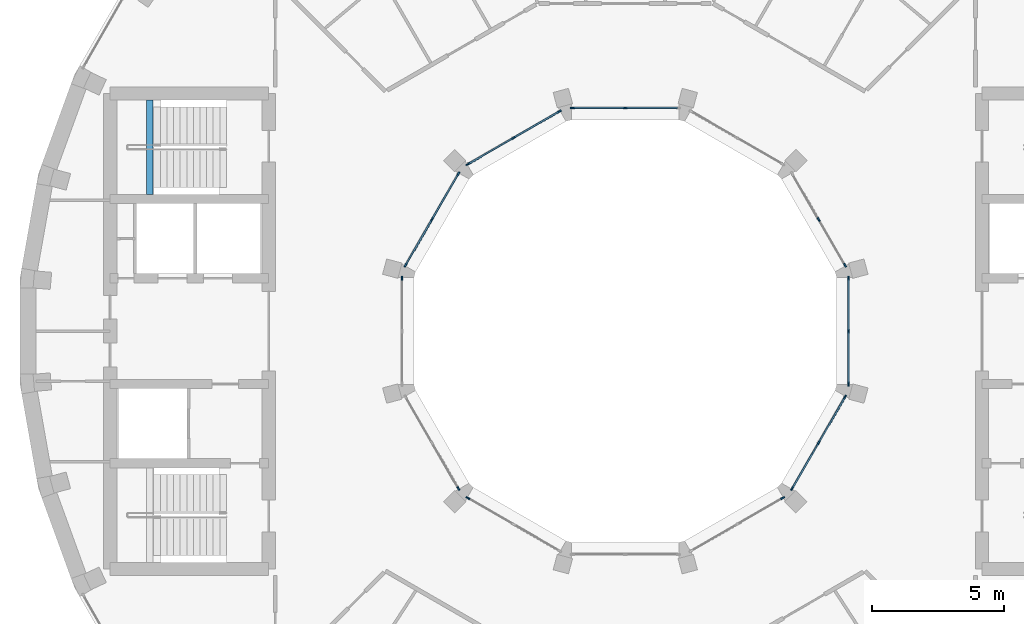
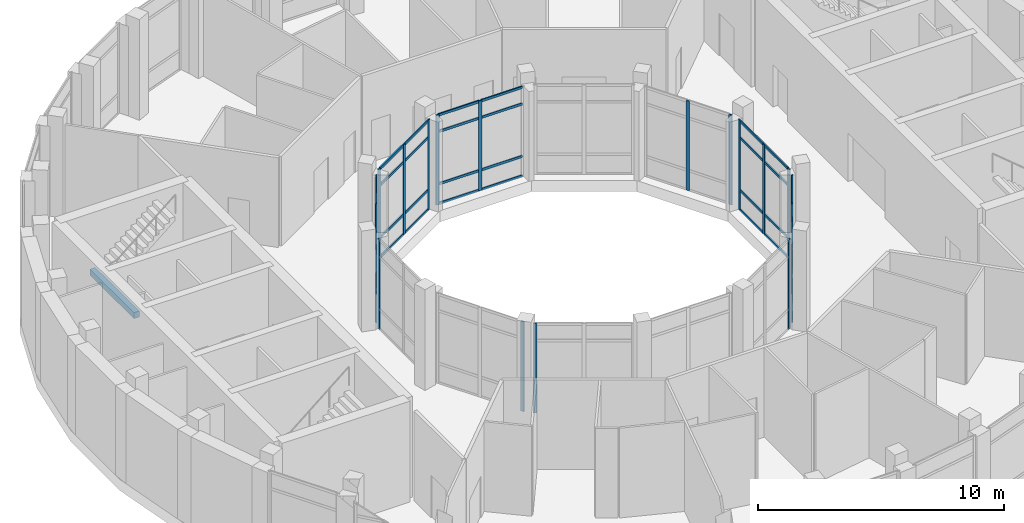
# One storey, part 4 of 16: 60 members, 1 beam, 10 elements without a shape of their own.
"""IFC4 building model written with IfcOpenShell, lengths in metres."""

from ifc_helpers import new_model, si_unit, direction, frame, origin, origin_2d, place, context, subcontext, project, spatial, rectangle, extrude, material, layer, layer_set, material_profile, profile_set, type_object, element, aggregate, save


model = new_model("IFC4")

# Units and contexts
model_context = context("Model", 3, precision=1e-05, world=origin(), true_north=direction((0.0, 1.0)))
body_context = subcontext(model_context, "Body", "Model", "MODEL_VIEW")
ifc_project = project(units=[si_unit("LENGTHUNIT", "METRE"), si_unit("AREAUNIT", "SQUARE_METRE"), si_unit("VOLUMEUNIT", "CUBIC_METRE"), si_unit("PLANEANGLEUNIT", "RADIAN"), si_unit("MASSUNIT", "GRAM", prefix="KILO")], contexts=[model_context])

# Site, building, storey
site_placement = place(None, origin())
site = spatial("IfcSite", under=ifc_project, at=site_placement, CompositionType="ELEMENT")
building_placement = place(site_placement, origin())
building = spatial("IfcBuilding", under=site, at=building_placement, Name="Saqina Gate Tower", CompositionType="ELEMENT")
storey_placement = place(building_placement, frame((0.0, 0.0, 279.199951171875)))
storey = spatial("IfcBuildingStorey", under=building, at=storey_placement, Name="L80", CompositionType="ELEMENT", Elevation=279.199951171875)

# Curtain wall, members
ifc_material_1 = material(Name="Aluminium glazing", Category="aluminium")
ifc_layer = layer(ifc_material_1, 0.159912109375)
ifc_layer_set = layer_set([ifc_layer], Name="CWT-3")
curtain_wall_type = type_object("IfcCurtainWallType", Name="CWT-3", PredefinedType="NOTDEFINED", material=ifc_layer_set)
curtain_wall_1_placement = place(storey_placement, origin())
curtain_wall_1 = element("IfcCurtainWall", 1, at=curtain_wall_1_placement, inside=storey, type_object=curtain_wall_type, Name="Sky lounge well glazing L80 facet 1", PredefinedType="NOTDEFINED")
ifc_material_2 = material(Name="Aluminium", Category="aluminium")
ifc_material_profile_1 = material_profile(ifc_material_2, rectangle(XDim=0.06005859375, YDim=0.159912109375, at=origin_2d()), Name="Aluminium 60x160")
ifc_profile_set_1 = profile_set([ifc_material_profile_1], Name="Aluminium")
member_type_1 = type_object("IfcMemberType", Name="CWT-3M", PredefinedType="MULLION", material=ifc_profile_set_1)
member_1_placement = place(storey_placement, frame((8.317626953125, 2.493408203125, 0.0), z_axis=(0.0, 0.0, 1.0), x_axis=(-0.866023931115, -0.500002550729, 0.0)))
member_1 = element("IfcMember", 2, at=member_1_placement, type_object=member_type_1, Name="CW3-01 mullion 1", PredefinedType="MULLION", context=body_context, shape_type="SweptSolid", body=[
    extrude(rectangle(XDim=0.06005859375, YDim=0.159912109375, at=origin_2d()), origin(), (0.0, 0.0, 1.0), 4.449951171875),
])
member_2_placement = place(storey_placement, frame((7.31787109375, 4.22509765625, 0.0), z_axis=(0.0, 0.0, 1.0), x_axis=(-0.866023931115, -0.500002550729, 0.0)))
member_2 = element("IfcMember", 3, at=member_2_placement, type_object=member_type_1, Name="CW3-01 mullion 2", PredefinedType="MULLION", context=body_context, shape_type="SweptSolid", body=[
    extrude(rectangle(XDim=0.06005859375, YDim=0.159912109375, at=origin_2d()), origin(), (0.0, 0.0, 1.0), 4.449951171875),
])
aggregate(curtain_wall_1, [member_1, member_2])

curtain_wall_2_placement = place(storey_placement, origin())
curtain_wall_2 = element("IfcCurtainWall", 4, at=curtain_wall_2_placement, inside=storey, type_object=curtain_wall_type, Name="Sky lounge well glazing L80 facet 3", PredefinedType="NOTDEFINED")
member_3_placement = place(storey_placement, frame((0.0, 8.449951171875, 0.0), z_axis=(0.0, 0.0, 1.0), x_axis=(0.0, -1.0, 0.0)))
member_3 = element("IfcMember", 5, at=member_3_placement, type_object=member_type_1, Name="CW3-03 mullion 2", PredefinedType="MULLION", context=body_context, shape_type="SweptSolid", body=[
    extrude(rectangle(XDim=0.06005859375, YDim=0.159912109375, at=origin_2d()), origin(), (0.0, 0.0, 1.0), 4.449951171875),
])
member_4_placement = place(storey_placement, frame((-1.99951171875, 8.449951171875, 0.0), z_axis=(0.0, 0.0, 1.0), x_axis=(0.0, -1.0, 0.0)))
member_4 = element("IfcMember", 6, at=member_4_placement, type_object=member_type_1, Name="CW3-03 mullion 3", PredefinedType="MULLION", context=body_context, shape_type="SweptSolid", body=[
    extrude(rectangle(XDim=0.06005859375, YDim=0.159912109375, at=origin_2d()), origin(), (0.0, 0.0, 1.0), 4.449951171875),
])

curtain_wall_3_placement = place(storey_placement, origin())
curtain_wall_3 = element("IfcCurtainWall", 7, at=curtain_wall_3_placement, inside=storey, type_object=curtain_wall_type, Name="Sky lounge well glazing L80 facet 4", PredefinedType="NOTDEFINED")
member_5_placement = place(storey_placement, frame((-2.493408203125, 8.317626953125, 0.0), z_axis=(0.0, 0.0, 1.0), x_axis=(0.500002550729, -0.866023931115, 0.0)))
member_5 = element("IfcMember", 8, at=member_5_placement, type_object=member_type_1, Name="CW3-04 mullion 1", PredefinedType="MULLION", context=body_context, shape_type="SweptSolid", body=[
    extrude(rectangle(XDim=0.06005859375, YDim=0.159912109375, at=origin_2d()), origin(), (0.0, 0.0, 1.0), 4.449951171875),
])
member_6_placement = place(storey_placement, frame((-4.22509765625, 7.31787109375, 0.0), z_axis=(0.0, 0.0, 1.0), x_axis=(0.500002550729, -0.866023931115, 0.0)))
member_6 = element("IfcMember", 9, at=member_6_placement, type_object=member_type_1, Name="CW3-04 mullion 2", PredefinedType="MULLION", context=body_context, shape_type="SweptSolid", body=[
    extrude(rectangle(XDim=0.06005859375, YDim=0.159912109375, at=origin_2d()), origin(), (0.0, 0.0, 1.0), 4.449951171875),
])
member_7_placement = place(storey_placement, frame((-5.95654296875, 6.318115234375, 0.0), z_axis=(0.0, 0.0, 1.0), x_axis=(0.500002550729, -0.866023931115, 0.0)))
member_7 = element("IfcMember", 10, at=member_7_placement, type_object=member_type_1, Name="CW3-04 mullion 3", PredefinedType="MULLION", context=body_context, shape_type="SweptSolid", body=[
    extrude(rectangle(XDim=0.06005859375, YDim=0.159912109375, at=origin_2d()), origin(), (0.0, 0.0, 1.0), 4.449951171875),
])

curtain_wall_4_placement = place(storey_placement, origin())
curtain_wall_4 = element("IfcCurtainWall", 11, at=curtain_wall_4_placement, inside=storey, type_object=curtain_wall_type, Name="Sky lounge well glazing L80 facet 5", PredefinedType="NOTDEFINED")
member_8_placement = place(storey_placement, frame((-6.318115234375, 5.95654296875, 0.0), z_axis=(0.0, 0.0, 1.0), x_axis=(0.866023931115, -0.500002550729, 0.0)))
member_8 = element("IfcMember", 12, at=member_8_placement, type_object=member_type_1, Name="CW3-05 mullion 1", PredefinedType="MULLION", context=body_context, shape_type="SweptSolid", body=[
    extrude(rectangle(XDim=0.06005859375, YDim=0.159912109375, at=origin_2d()), origin(), (0.0, 0.0, 1.0), 4.449951171875),
])
member_9_placement = place(storey_placement, frame((-7.31787109375, 4.22509765625, 0.0), z_axis=(0.0, 0.0, 1.0), x_axis=(0.866023931115, -0.500002550729, 0.0)))
member_9 = element("IfcMember", 13, at=member_9_placement, type_object=member_type_1, Name="CW3-05 mullion 2", PredefinedType="MULLION", context=body_context, shape_type="SweptSolid", body=[
    extrude(rectangle(XDim=0.06005859375, YDim=0.159912109375, at=origin_2d()), origin(), (0.0, 0.0, 1.0), 4.449951171875),
])
member_10_placement = place(storey_placement, frame((-8.317626953125, 2.493408203125, 0.0), z_axis=(0.0, 0.0, 1.0), x_axis=(0.866023931115, -0.500002550729, 0.0)))
member_10 = element("IfcMember", 14, at=member_10_placement, type_object=member_type_1, Name="CW3-05 mullion 3", PredefinedType="MULLION", context=body_context, shape_type="SweptSolid", body=[
    extrude(rectangle(XDim=0.06005859375, YDim=0.159912109375, at=origin_2d()), origin(), (0.0, 0.0, 1.0), 4.449951171875),
])

# Curtain wall, member
curtain_wall_5_placement = place(storey_placement, origin())
curtain_wall_5 = element("IfcCurtainWall", 15, at=curtain_wall_5_placement, inside=storey, type_object=curtain_wall_type, Name="Sky lounge well glazing L80 facet 6", PredefinedType="NOTDEFINED")
member_11_placement = place(storey_placement, frame((-8.449951171875, 1.99951171875, 0.0), z_axis=(0.0, 0.0, 1.0), x_axis=(1.0, 0.0, 0.0)))
member_11 = element("IfcMember", 16, at=member_11_placement, type_object=member_type_1, Name="CW3-06 mullion 1", PredefinedType="MULLION", context=body_context, shape_type="SweptSolid", body=[
    extrude(rectangle(XDim=0.06005859375, YDim=0.159912109375, at=origin_2d()), origin(), (0.0, 0.0, 1.0), 4.449951171875),
])
aggregate(curtain_wall_5, [member_11])

curtain_wall_6_placement = place(storey_placement, origin())
curtain_wall_6 = element("IfcCurtainWall", 17, at=curtain_wall_6_placement, inside=storey, type_object=curtain_wall_type, Name="Sky lounge well glazing L80 facet 7", PredefinedType="NOTDEFINED")
member_12_placement = place(storey_placement, frame((-6.318115234375, -5.95654296875, 0.0), z_axis=(0.0, 0.0, 1.0), x_axis=(0.866023931115, 0.500002550729, 0.0)))
member_12 = element("IfcMember", 18, at=member_12_placement, type_object=member_type_1, Name="CW3-07 mullion 3", PredefinedType="MULLION", context=body_context, shape_type="SweptSolid", body=[
    extrude(rectangle(XDim=0.06005859375, YDim=0.159912109375, at=origin_2d()), origin(), (0.0, 0.0, 1.0), 4.449951171875),
])
aggregate(curtain_wall_6, [member_12])

curtain_wall_7_placement = place(storey_placement, origin())
curtain_wall_7 = element("IfcCurtainWall", 19, at=curtain_wall_7_placement, inside=storey, type_object=curtain_wall_type, Name="Sky lounge well glazing L80 facet 8", PredefinedType="NOTDEFINED")
member_13_placement = place(storey_placement, frame((-5.95654296875, -6.318115234375, 0.0), z_axis=(0.0, 0.0, 1.0), x_axis=(0.500002550729, 0.866023931115, 0.0)))
member_13 = element("IfcMember", 20, at=member_13_placement, type_object=member_type_1, Name="CW3-08 mullion 1", PredefinedType="MULLION", context=body_context, shape_type="SweptSolid", body=[
    extrude(rectangle(XDim=0.06005859375, YDim=0.159912109375, at=origin_2d()), origin(), (0.0, 0.0, 1.0), 4.449951171875),
])
aggregate(curtain_wall_7, [member_13])

curtain_wall_8_placement = place(storey_placement, origin())
curtain_wall_8 = element("IfcCurtainWall", 21, at=curtain_wall_8_placement, inside=storey, type_object=curtain_wall_type, Name="Sky lounge well glazing L80 facet 10", PredefinedType="NOTDEFINED")
member_14_placement = place(storey_placement, frame((5.95654296875, -6.318115234375, 0.0), z_axis=(0.0, 0.0, 1.0), x_axis=(-0.500002550729, 0.866023931115, 0.0)))
member_14 = element("IfcMember", 22, at=member_14_placement, type_object=member_type_1, Name="CW3-10 mullion 3", PredefinedType="MULLION", context=body_context, shape_type="SweptSolid", body=[
    extrude(rectangle(XDim=0.06005859375, YDim=0.159912109375, at=origin_2d()), origin(), (0.0, 0.0, 1.0), 4.449951171875),
])
aggregate(curtain_wall_8, [member_14])

# Curtain wall, members
curtain_wall_9_placement = place(storey_placement, origin())
curtain_wall_9 = element("IfcCurtainWall", 23, at=curtain_wall_9_placement, inside=storey, type_object=curtain_wall_type, Name="Sky lounge well glazing L80 facet 11", PredefinedType="NOTDEFINED")
member_15_placement = place(storey_placement, frame((6.318115234375, -5.95654296875, 0.0), z_axis=(0.0, 0.0, 1.0), x_axis=(-0.866023931115, 0.500002550729, 0.0)))
member_15 = element("IfcMember", 24, at=member_15_placement, type_object=member_type_1, Name="CW3-11 mullion 1", PredefinedType="MULLION", context=body_context, shape_type="SweptSolid", body=[
    extrude(rectangle(XDim=0.06005859375, YDim=0.159912109375, at=origin_2d()), origin(), (0.0, 0.0, 1.0), 4.449951171875),
])
member_16_placement = place(storey_placement, frame((7.31787109375, -4.22509765625, 0.0), z_axis=(0.0, 0.0, 1.0), x_axis=(-0.866023931115, 0.500002550729, 0.0)))
member_16 = element("IfcMember", 25, at=member_16_placement, type_object=member_type_1, Name="CW3-11 mullion 2", PredefinedType="MULLION", context=body_context, shape_type="SweptSolid", body=[
    extrude(rectangle(XDim=0.06005859375, YDim=0.159912109375, at=origin_2d()), origin(), (0.0, 0.0, 1.0), 4.449951171875),
])
member_17_placement = place(storey_placement, frame((8.317626953125, -2.493408203125, 0.0), z_axis=(0.0, 0.0, 1.0), x_axis=(-0.866023931115, 0.500002550729, 0.0)))
member_17 = element("IfcMember", 26, at=member_17_placement, type_object=member_type_1, Name="CW3-11 mullion 3", PredefinedType="MULLION", context=body_context, shape_type="SweptSolid", body=[
    extrude(rectangle(XDim=0.06005859375, YDim=0.159912109375, at=origin_2d()), origin(), (0.0, 0.0, 1.0), 4.449951171875),
])

curtain_wall_10_placement = place(storey_placement, origin())
curtain_wall_10 = element("IfcCurtainWall", 27, at=curtain_wall_10_placement, inside=storey, type_object=curtain_wall_type, Name="Sky lounge well glazing L80 facet 12", PredefinedType="NOTDEFINED")
member_18_placement = place(storey_placement, frame((8.449951171875, -1.99951171875, 0.0), z_axis=(0.0, 0.0, 1.0), x_axis=(-1.0, 0.0, 0.0)))
member_18 = element("IfcMember", 28, at=member_18_placement, type_object=member_type_1, Name="CW3-12 mullion 1", PredefinedType="MULLION", context=body_context, shape_type="SweptSolid", body=[
    extrude(rectangle(XDim=0.06005859375, YDim=0.159912109375, at=origin_2d()), origin(), (0.0, 0.0, 1.0), 4.449951171875),
])
member_19_placement = place(storey_placement, frame((8.449951171875, 0.0, 0.0), z_axis=(0.0, 0.0, 1.0), x_axis=(-1.0, 0.0, 0.0)))
member_19 = element("IfcMember", 29, at=member_19_placement, type_object=member_type_1, Name="CW3-12 mullion 2", PredefinedType="MULLION", context=body_context, shape_type="SweptSolid", body=[
    extrude(rectangle(XDim=0.06005859375, YDim=0.159912109375, at=origin_2d()), origin(), (0.0, 0.0, 1.0), 4.449951171875),
])
member_20_placement = place(storey_placement, frame((8.449951171875, 1.99951171875, 0.0), z_axis=(0.0, 0.0, 1.0), x_axis=(-1.0, 0.0, 0.0)))
member_20 = element("IfcMember", 30, at=member_20_placement, type_object=member_type_1, Name="CW3-12 mullion 3", PredefinedType="MULLION", context=body_context, shape_type="SweptSolid", body=[
    extrude(rectangle(XDim=0.06005859375, YDim=0.159912109375, at=origin_2d()), origin(), (0.0, 0.0, 1.0), 4.449951171875),
])

# Member
ifc_material_3 = material(Name="Aluminium", Category="aluminium")
ifc_material_profile_2 = material_profile(ifc_material_3, rectangle(XDim=0.06005859375, YDim=0.1201171875, at=origin_2d()), Name="Aluminium 60x120")
ifc_profile_set_2 = profile_set([ifc_material_profile_2], Name="Aluminium")
member_type_2 = type_object("IfcMemberType", Name="CWT-3T", PredefinedType="USERDEFINED", material=ifc_profile_set_2)
member_21_placement = place(storey_placement, frame((1.969482421875, 8.449951171875, 0.030029296875), z_axis=(-1.0, 0.0, 0.0), x_axis=(0.0, -1.0, 0.0)))
member_21 = element("IfcMember", 31, at=member_21_placement, type_object=member_type_2, Name="CW3-03 transom 1.1", ObjectType="TRANSOM", PredefinedType="USERDEFINED", context=body_context, shape_type="SweptSolid", body=[
    extrude(rectangle(XDim=0.06005859375, YDim=0.1201171875, at=origin_2d()), origin(), (0.0, 0.0, 1.0), 1.939453125),
])

member_22_placement = place(storey_placement, frame((1.969482421875, 8.449951171875, 1.0), z_axis=(-1.0, 0.0, 0.0), x_axis=(0.0, -1.0, 0.0)))
member_22 = element("IfcMember", 32, at=member_22_placement, type_object=member_type_2, Name="CW3-03 transom 1.2", ObjectType="TRANSOM", PredefinedType="USERDEFINED", context=body_context, shape_type="SweptSolid", body=[
    extrude(rectangle(XDim=0.06005859375, YDim=0.1201171875, at=origin_2d()), origin(), (0.0, 0.0, 1.0), 1.939453125),
])

member_23_placement = place(storey_placement, frame((1.969482421875, 8.449951171875, 3.60009765625), z_axis=(-1.0, 0.0, 0.0), x_axis=(0.0, -1.0, 0.0)))
member_23 = element("IfcMember", 33, at=member_23_placement, type_object=member_type_2, Name="CW3-03 transom 1.3", ObjectType="TRANSOM", PredefinedType="USERDEFINED", context=body_context, shape_type="SweptSolid", body=[
    extrude(rectangle(XDim=0.06005859375, YDim=0.1201171875, at=origin_2d()), origin(), (0.0, 0.0, 1.0), 1.939453125),
])

member_24_placement = place(storey_placement, frame((1.969482421875, 8.449951171875, 4.420166015625), z_axis=(-1.0, 0.0, 0.0), x_axis=(0.0, -1.0, 0.0)))
member_24 = element("IfcMember", 34, at=member_24_placement, type_object=member_type_2, Name="CW3-03 transom 1.4", ObjectType="TRANSOM", PredefinedType="USERDEFINED", context=body_context, shape_type="SweptSolid", body=[
    extrude(rectangle(XDim=0.06005859375, YDim=0.1201171875, at=origin_2d()), origin(), (0.0, 0.0, 1.0), 1.939453125),
])

member_25_placement = place(storey_placement, frame((-0.030029296875, 8.449951171875, 0.030029296875), z_axis=(-1.0, 0.0, 0.0), x_axis=(0.0, -1.0, 0.0)))
member_25 = element("IfcMember", 35, at=member_25_placement, type_object=member_type_2, Name="CW3-03 transom 2.1", ObjectType="TRANSOM", PredefinedType="USERDEFINED", context=body_context, shape_type="SweptSolid", body=[
    extrude(rectangle(XDim=0.06005859375, YDim=0.1201171875, at=origin_2d()), origin(), (0.0, 0.0, 1.0), 1.939453125),
])

member_26_placement = place(storey_placement, frame((-0.030029296875, 8.449951171875, 1.0), z_axis=(-1.0, 0.0, 0.0), x_axis=(0.0, -1.0, 0.0)))
member_26 = element("IfcMember", 36, at=member_26_placement, type_object=member_type_2, Name="CW3-03 transom 2.2", ObjectType="TRANSOM", PredefinedType="USERDEFINED", context=body_context, shape_type="SweptSolid", body=[
    extrude(rectangle(XDim=0.06005859375, YDim=0.1201171875, at=origin_2d()), origin(), (0.0, 0.0, 1.0), 1.939453125),
])

member_27_placement = place(storey_placement, frame((-0.030029296875, 8.449951171875, 3.60009765625), z_axis=(-1.0, 0.0, 0.0), x_axis=(0.0, -1.0, 0.0)))
member_27 = element("IfcMember", 37, at=member_27_placement, type_object=member_type_2, Name="CW3-03 transom 2.3", ObjectType="TRANSOM", PredefinedType="USERDEFINED", context=body_context, shape_type="SweptSolid", body=[
    extrude(rectangle(XDim=0.06005859375, YDim=0.1201171875, at=origin_2d()), origin(), (0.0, 0.0, 1.0), 1.939453125),
])

member_28_placement = place(storey_placement, frame((-0.030029296875, 8.449951171875, 4.420166015625), z_axis=(-1.0, 0.0, 0.0), x_axis=(0.0, -1.0, 0.0)))
member_28 = element("IfcMember", 38, at=member_28_placement, type_object=member_type_2, Name="CW3-03 transom 2.4", ObjectType="TRANSOM", PredefinedType="USERDEFINED", context=body_context, shape_type="SweptSolid", body=[
    extrude(rectangle(XDim=0.06005859375, YDim=0.1201171875, at=origin_2d()), origin(), (0.0, 0.0, 1.0), 1.939453125),
])

aggregate(curtain_wall_2, [member_3, member_4, member_21, member_22, member_23, member_24, member_25, member_26, member_27, member_28])

member_29_placement = place(storey_placement, frame((-2.51953125, 8.302490234375, 0.030029296875), z_axis=(-0.866057702667, -0.499944052521, 0.0), x_axis=(0.499944052521, -0.866057702667, 0.0)))
member_29 = element("IfcMember", 39, at=member_29_placement, type_object=member_type_2, Name="CW3-04 transom 1.1", ObjectType="TRANSOM", PredefinedType="USERDEFINED", context=body_context, shape_type="SweptSolid", body=[
    extrude(rectangle(XDim=0.06005859375, YDim=0.1201171875, at=origin_2d()), origin(), (0.0, 0.0, 1.0), 1.939208984375),
])

member_30_placement = place(storey_placement, frame((-2.51953125, 8.302490234375, 1.0), z_axis=(-0.866057702667, -0.499944052521, 0.0), x_axis=(0.499944052521, -0.866057702667, 0.0)))
member_30 = element("IfcMember", 40, at=member_30_placement, type_object=member_type_2, Name="CW3-04 transom 1.2", ObjectType="TRANSOM", PredefinedType="USERDEFINED", context=body_context, shape_type="SweptSolid", body=[
    extrude(rectangle(XDim=0.06005859375, YDim=0.1201171875, at=origin_2d()), origin(), (0.0, 0.0, 1.0), 1.939208984375),
])

member_31_placement = place(storey_placement, frame((-2.51953125, 8.302490234375, 3.60009765625), z_axis=(-0.866057702667, -0.499944052521, 0.0), x_axis=(0.499944052521, -0.866057702667, 0.0)))
member_31 = element("IfcMember", 41, at=member_31_placement, type_object=member_type_2, Name="CW3-04 transom 1.3", ObjectType="TRANSOM", PredefinedType="USERDEFINED", context=body_context, shape_type="SweptSolid", body=[
    extrude(rectangle(XDim=0.06005859375, YDim=0.1201171875, at=origin_2d()), origin(), (0.0, 0.0, 1.0), 1.939208984375),
])

member_32_placement = place(storey_placement, frame((-2.51953125, 8.302490234375, 4.420166015625), z_axis=(-0.866057702667, -0.499944052521, 0.0), x_axis=(0.499944052521, -0.866057702667, 0.0)))
member_32 = element("IfcMember", 42, at=member_32_placement, type_object=member_type_2, Name="CW3-04 transom 1.4", ObjectType="TRANSOM", PredefinedType="USERDEFINED", context=body_context, shape_type="SweptSolid", body=[
    extrude(rectangle(XDim=0.06005859375, YDim=0.1201171875, at=origin_2d()), origin(), (0.0, 0.0, 1.0), 1.939208984375),
])

member_33_placement = place(storey_placement, frame((-4.2509765625, 7.302978515625, 0.030029296875), z_axis=(-0.866003189247, -0.500038474733, 0.0), x_axis=(0.500038474733, -0.866003189247, 0.0)))
member_33 = element("IfcMember", 43, at=member_33_placement, type_object=member_type_2, Name="CW3-04 transom 2.1", ObjectType="TRANSOM", PredefinedType="USERDEFINED", context=body_context, shape_type="SweptSolid", body=[
    extrude(rectangle(XDim=0.06005859375, YDim=0.1201171875, at=origin_2d()), origin(), (0.0, 0.0, 1.0), 1.939208984375),
])

member_34_placement = place(storey_placement, frame((-4.2509765625, 7.302978515625, 1.0), z_axis=(-0.866003189247, -0.500038474733, 0.0), x_axis=(0.500038474733, -0.866003189247, 0.0)))
member_34 = element("IfcMember", 44, at=member_34_placement, type_object=member_type_2, Name="CW3-04 transom 2.2", ObjectType="TRANSOM", PredefinedType="USERDEFINED", context=body_context, shape_type="SweptSolid", body=[
    extrude(rectangle(XDim=0.06005859375, YDim=0.1201171875, at=origin_2d()), origin(), (0.0, 0.0, 1.0), 1.939208984375),
])

member_35_placement = place(storey_placement, frame((-4.2509765625, 7.302978515625, 3.60009765625), z_axis=(-0.866003189247, -0.500038474733, 0.0), x_axis=(0.500038474733, -0.866003189247, 0.0)))
member_35 = element("IfcMember", 45, at=member_35_placement, type_object=member_type_2, Name="CW3-04 transom 2.3", ObjectType="TRANSOM", PredefinedType="USERDEFINED", context=body_context, shape_type="SweptSolid", body=[
    extrude(rectangle(XDim=0.06005859375, YDim=0.1201171875, at=origin_2d()), origin(), (0.0, 0.0, 1.0), 1.939208984375),
])

member_36_placement = place(storey_placement, frame((-4.2509765625, 7.302978515625, 4.420166015625), z_axis=(-0.866003189247, -0.500038474733, 0.0), x_axis=(0.500038474733, -0.866003189247, 0.0)))
member_36 = element("IfcMember", 46, at=member_36_placement, type_object=member_type_2, Name="CW3-04 transom 2.4", ObjectType="TRANSOM", PredefinedType="USERDEFINED", context=body_context, shape_type="SweptSolid", body=[
    extrude(rectangle(XDim=0.06005859375, YDim=0.1201171875, at=origin_2d()), origin(), (0.0, 0.0, 1.0), 1.939208984375),
])

aggregate(curtain_wall_3, [member_5, member_6, member_7, member_29, member_30, member_31, member_32, member_33, member_34, member_35, member_36])

member_37_placement = place(storey_placement, frame((-6.333251953125, 5.930419921875, 0.030029296875), z_axis=(-0.500038474733, -0.866003189247, 0.0), x_axis=(0.866003189247, -0.500038474733, 0.0)))
member_37 = element("IfcMember", 47, at=member_37_placement, type_object=member_type_2, Name="CW3-05 transom 1.1", ObjectType="TRANSOM", PredefinedType="USERDEFINED", context=body_context, shape_type="SweptSolid", body=[
    extrude(rectangle(XDim=0.06005859375, YDim=0.1201171875, at=origin_2d()), origin(), (0.0, 0.0, 1.0), 1.939208984375),
])

member_38_placement = place(storey_placement, frame((-6.333251953125, 5.930419921875, 1.0), z_axis=(-0.500038474733, -0.866003189247, 0.0), x_axis=(0.866003189247, -0.500038474733, 0.0)))
member_38 = element("IfcMember", 48, at=member_38_placement, type_object=member_type_2, Name="CW3-05 transom 1.2", ObjectType="TRANSOM", PredefinedType="USERDEFINED", context=body_context, shape_type="SweptSolid", body=[
    extrude(rectangle(XDim=0.06005859375, YDim=0.1201171875, at=origin_2d()), origin(), (0.0, 0.0, 1.0), 1.939208984375),
])

member_39_placement = place(storey_placement, frame((-6.333251953125, 5.930419921875, 3.60009765625), z_axis=(-0.500038474733, -0.866003189247, 0.0), x_axis=(0.866003189247, -0.500038474733, 0.0)))
member_39 = element("IfcMember", 49, at=member_39_placement, type_object=member_type_2, Name="CW3-05 transom 1.3", ObjectType="TRANSOM", PredefinedType="USERDEFINED", context=body_context, shape_type="SweptSolid", body=[
    extrude(rectangle(XDim=0.06005859375, YDim=0.1201171875, at=origin_2d()), origin(), (0.0, 0.0, 1.0), 1.939208984375),
])

member_40_placement = place(storey_placement, frame((-6.333251953125, 5.930419921875, 4.420166015625), z_axis=(-0.500038474733, -0.866003189247, 0.0), x_axis=(0.866003189247, -0.500038474733, 0.0)))
member_40 = element("IfcMember", 50, at=member_40_placement, type_object=member_type_2, Name="CW3-05 transom 1.4", ObjectType="TRANSOM", PredefinedType="USERDEFINED", context=body_context, shape_type="SweptSolid", body=[
    extrude(rectangle(XDim=0.06005859375, YDim=0.1201171875, at=origin_2d()), origin(), (0.0, 0.0, 1.0), 1.939208984375),
])

member_41_placement = place(storey_placement, frame((-7.3330078125, 4.198974609375, 0.030029296875), z_axis=(-0.499944052521, -0.866057702667, 0.0), x_axis=(0.866057702667, -0.499944052521, 0.0)))
member_41 = element("IfcMember", 51, at=member_41_placement, type_object=member_type_2, Name="CW3-05 transom 2.1", ObjectType="TRANSOM", PredefinedType="USERDEFINED", context=body_context, shape_type="SweptSolid", body=[
    extrude(rectangle(XDim=0.06005859375, YDim=0.1201171875, at=origin_2d()), origin(), (0.0, 0.0, 1.0), 1.939208984375),
])

member_42_placement = place(storey_placement, frame((-7.3330078125, 4.198974609375, 1.0), z_axis=(-0.499944052521, -0.866057702667, 0.0), x_axis=(0.866057702667, -0.499944052521, 0.0)))
member_42 = element("IfcMember", 52, at=member_42_placement, type_object=member_type_2, Name="CW3-05 transom 2.2", ObjectType="TRANSOM", PredefinedType="USERDEFINED", context=body_context, shape_type="SweptSolid", body=[
    extrude(rectangle(XDim=0.06005859375, YDim=0.1201171875, at=origin_2d()), origin(), (0.0, 0.0, 1.0), 1.939208984375),
])

member_43_placement = place(storey_placement, frame((-7.3330078125, 4.198974609375, 3.60009765625), z_axis=(-0.499944052521, -0.866057702667, 0.0), x_axis=(0.866057702667, -0.499944052521, 0.0)))
member_43 = element("IfcMember", 53, at=member_43_placement, type_object=member_type_2, Name="CW3-05 transom 2.3", ObjectType="TRANSOM", PredefinedType="USERDEFINED", context=body_context, shape_type="SweptSolid", body=[
    extrude(rectangle(XDim=0.06005859375, YDim=0.1201171875, at=origin_2d()), origin(), (0.0, 0.0, 1.0), 1.939208984375),
])

member_44_placement = place(storey_placement, frame((-7.3330078125, 4.198974609375, 4.420166015625), z_axis=(-0.499944052521, -0.866057702667, 0.0), x_axis=(0.866057702667, -0.499944052521, 0.0)))
member_44 = element("IfcMember", 54, at=member_44_placement, type_object=member_type_2, Name="CW3-05 transom 2.4", ObjectType="TRANSOM", PredefinedType="USERDEFINED", context=body_context, shape_type="SweptSolid", body=[
    extrude(rectangle(XDim=0.06005859375, YDim=0.1201171875, at=origin_2d()), origin(), (0.0, 0.0, 1.0), 1.939208984375),
])

aggregate(curtain_wall_4, [member_8, member_9, member_10, member_37, member_38, member_39, member_40, member_41, member_42, member_43, member_44])

member_45_placement = place(storey_placement, frame((6.333251953125, -5.930419921875, 0.030029296875), z_axis=(0.500038474733, 0.866003189247, 0.0), x_axis=(-0.866003189247, 0.500038474733, 0.0)))
member_45 = element("IfcMember", 55, at=member_45_placement, type_object=member_type_2, Name="CW3-11 transom 1.1", ObjectType="TRANSOM", PredefinedType="USERDEFINED", context=body_context, shape_type="SweptSolid", body=[
    extrude(rectangle(XDim=0.06005859375, YDim=0.1201171875, at=origin_2d()), origin(), (0.0, 0.0, 1.0), 1.939208984375),
])

member_46_placement = place(storey_placement, frame((6.333251953125, -5.930419921875, 1.0), z_axis=(0.500038474733, 0.866003189247, 0.0), x_axis=(-0.866003189247, 0.500038474733, 0.0)))
member_46 = element("IfcMember", 56, at=member_46_placement, type_object=member_type_2, Name="CW3-11 transom 1.2", ObjectType="TRANSOM", PredefinedType="USERDEFINED", context=body_context, shape_type="SweptSolid", body=[
    extrude(rectangle(XDim=0.06005859375, YDim=0.1201171875, at=origin_2d()), origin(), (0.0, 0.0, 1.0), 1.939208984375),
])

member_47_placement = place(storey_placement, frame((6.333251953125, -5.930419921875, 3.60009765625), z_axis=(0.500038474733, 0.866003189247, 0.0), x_axis=(-0.866003189247, 0.500038474733, 0.0)))
member_47 = element("IfcMember", 57, at=member_47_placement, type_object=member_type_2, Name="CW3-11 transom 1.3", ObjectType="TRANSOM", PredefinedType="USERDEFINED", context=body_context, shape_type="SweptSolid", body=[
    extrude(rectangle(XDim=0.06005859375, YDim=0.1201171875, at=origin_2d()), origin(), (0.0, 0.0, 1.0), 1.939208984375),
])

member_48_placement = place(storey_placement, frame((6.333251953125, -5.930419921875, 4.420166015625), z_axis=(0.500038474733, 0.866003189247, 0.0), x_axis=(-0.866003189247, 0.500038474733, 0.0)))
member_48 = element("IfcMember", 58, at=member_48_placement, type_object=member_type_2, Name="CW3-11 transom 1.4", ObjectType="TRANSOM", PredefinedType="USERDEFINED", context=body_context, shape_type="SweptSolid", body=[
    extrude(rectangle(XDim=0.06005859375, YDim=0.1201171875, at=origin_2d()), origin(), (0.0, 0.0, 1.0), 1.939208984375),
])

member_49_placement = place(storey_placement, frame((7.3330078125, -4.198974609375, 0.030029296875), z_axis=(0.499944052521, 0.866057702667, 0.0), x_axis=(-0.866057702667, 0.499944052521, 0.0)))
member_49 = element("IfcMember", 59, at=member_49_placement, type_object=member_type_2, Name="CW3-11 transom 2.1", ObjectType="TRANSOM", PredefinedType="USERDEFINED", context=body_context, shape_type="SweptSolid", body=[
    extrude(rectangle(XDim=0.06005859375, YDim=0.1201171875, at=origin_2d()), origin(), (0.0, 0.0, 1.0), 1.939208984375),
])

member_50_placement = place(storey_placement, frame((7.3330078125, -4.198974609375, 1.0), z_axis=(0.499944052521, 0.866057702667, 0.0), x_axis=(-0.866057702667, 0.499944052521, 0.0)))
member_50 = element("IfcMember", 60, at=member_50_placement, type_object=member_type_2, Name="CW3-11 transom 2.2", ObjectType="TRANSOM", PredefinedType="USERDEFINED", context=body_context, shape_type="SweptSolid", body=[
    extrude(rectangle(XDim=0.06005859375, YDim=0.1201171875, at=origin_2d()), origin(), (0.0, 0.0, 1.0), 1.939208984375),
])

member_51_placement = place(storey_placement, frame((7.3330078125, -4.198974609375, 3.60009765625), z_axis=(0.499944052521, 0.866057702667, 0.0), x_axis=(-0.866057702667, 0.499944052521, 0.0)))
member_51 = element("IfcMember", 61, at=member_51_placement, type_object=member_type_2, Name="CW3-11 transom 2.3", ObjectType="TRANSOM", PredefinedType="USERDEFINED", context=body_context, shape_type="SweptSolid", body=[
    extrude(rectangle(XDim=0.06005859375, YDim=0.1201171875, at=origin_2d()), origin(), (0.0, 0.0, 1.0), 1.939208984375),
])

member_52_placement = place(storey_placement, frame((7.3330078125, -4.198974609375, 4.420166015625), z_axis=(0.499944052521, 0.866057702667, 0.0), x_axis=(-0.866057702667, 0.499944052521, 0.0)))
member_52 = element("IfcMember", 62, at=member_52_placement, type_object=member_type_2, Name="CW3-11 transom 2.4", ObjectType="TRANSOM", PredefinedType="USERDEFINED", context=body_context, shape_type="SweptSolid", body=[
    extrude(rectangle(XDim=0.06005859375, YDim=0.1201171875, at=origin_2d()), origin(), (0.0, 0.0, 1.0), 1.939208984375),
])

aggregate(curtain_wall_9, [member_15, member_16, member_17, member_45, member_46, member_47, member_48, member_49, member_50, member_51, member_52])

member_53_placement = place(storey_placement, frame((8.449951171875, -1.969482421875, 0.030029296875), z_axis=(0.0, 1.0, 0.0), x_axis=(-1.0, 0.0, 0.0)))
member_53 = element("IfcMember", 63, at=member_53_placement, type_object=member_type_2, Name="CW3-12 transom 1.1", ObjectType="TRANSOM", PredefinedType="USERDEFINED", context=body_context, shape_type="SweptSolid", body=[
    extrude(rectangle(XDim=0.06005859375, YDim=0.1201171875, at=origin_2d()), origin(), (0.0, 0.0, 1.0), 1.939453125),
])

member_54_placement = place(storey_placement, frame((8.449951171875, -1.969482421875, 1.0), z_axis=(0.0, 1.0, 0.0), x_axis=(-1.0, 0.0, 0.0)))
member_54 = element("IfcMember", 64, at=member_54_placement, type_object=member_type_2, Name="CW3-12 transom 1.2", ObjectType="TRANSOM", PredefinedType="USERDEFINED", context=body_context, shape_type="SweptSolid", body=[
    extrude(rectangle(XDim=0.06005859375, YDim=0.1201171875, at=origin_2d()), origin(), (0.0, 0.0, 1.0), 1.939453125),
])

member_55_placement = place(storey_placement, frame((8.449951171875, -1.969482421875, 3.60009765625), z_axis=(0.0, 1.0, 0.0), x_axis=(-1.0, 0.0, 0.0)))
member_55 = element("IfcMember", 65, at=member_55_placement, type_object=member_type_2, Name="CW3-12 transom 1.3", ObjectType="TRANSOM", PredefinedType="USERDEFINED", context=body_context, shape_type="SweptSolid", body=[
    extrude(rectangle(XDim=0.06005859375, YDim=0.1201171875, at=origin_2d()), origin(), (0.0, 0.0, 1.0), 1.939453125),
])

member_56_placement = place(storey_placement, frame((8.449951171875, -1.969482421875, 4.420166015625), z_axis=(0.0, 1.0, 0.0), x_axis=(-1.0, 0.0, 0.0)))
member_56 = element("IfcMember", 66, at=member_56_placement, type_object=member_type_2, Name="CW3-12 transom 1.4", ObjectType="TRANSOM", PredefinedType="USERDEFINED", context=body_context, shape_type="SweptSolid", body=[
    extrude(rectangle(XDim=0.06005859375, YDim=0.1201171875, at=origin_2d()), origin(), (0.0, 0.0, 1.0), 1.939453125),
])

member_57_placement = place(storey_placement, frame((8.449951171875, 0.030029296875, 0.030029296875), z_axis=(0.0, 1.0, 0.0), x_axis=(-1.0, 0.0, 0.0)))
member_57 = element("IfcMember", 67, at=member_57_placement, type_object=member_type_2, Name="CW3-12 transom 2.1", ObjectType="TRANSOM", PredefinedType="USERDEFINED", context=body_context, shape_type="SweptSolid", body=[
    extrude(rectangle(XDim=0.06005859375, YDim=0.1201171875, at=origin_2d()), origin(), (0.0, 0.0, 1.0), 1.939453125),
])

member_58_placement = place(storey_placement, frame((8.449951171875, 0.030029296875, 1.0), z_axis=(0.0, 1.0, 0.0), x_axis=(-1.0, 0.0, 0.0)))
member_58 = element("IfcMember", 68, at=member_58_placement, type_object=member_type_2, Name="CW3-12 transom 2.2", ObjectType="TRANSOM", PredefinedType="USERDEFINED", context=body_context, shape_type="SweptSolid", body=[
    extrude(rectangle(XDim=0.06005859375, YDim=0.1201171875, at=origin_2d()), origin(), (0.0, 0.0, 1.0), 1.939453125),
])

member_59_placement = place(storey_placement, frame((8.449951171875, 0.030029296875, 3.60009765625), z_axis=(0.0, 1.0, 0.0), x_axis=(-1.0, 0.0, 0.0)))
member_59 = element("IfcMember", 69, at=member_59_placement, type_object=member_type_2, Name="CW3-12 transom 2.3", ObjectType="TRANSOM", PredefinedType="USERDEFINED", context=body_context, shape_type="SweptSolid", body=[
    extrude(rectangle(XDim=0.06005859375, YDim=0.1201171875, at=origin_2d()), origin(), (0.0, 0.0, 1.0), 1.939453125),
])

member_60_placement = place(storey_placement, frame((8.449951171875, 0.030029296875, 4.420166015625), z_axis=(0.0, 1.0, 0.0), x_axis=(-1.0, 0.0, 0.0)))
member_60 = element("IfcMember", 70, at=member_60_placement, type_object=member_type_2, Name="CW3-12 transom 2.4", ObjectType="TRANSOM", PredefinedType="USERDEFINED", context=body_context, shape_type="SweptSolid", body=[
    extrude(rectangle(XDim=0.06005859375, YDim=0.1201171875, at=origin_2d()), origin(), (0.0, 0.0, 1.0), 1.939453125),
])

aggregate(curtain_wall_10, [member_18, member_19, member_20, member_53, member_54, member_55, member_56, member_57, member_58, member_59, member_60])

# Beam
ifc_material_4 = material(Name="Concrete C40/50", Category="concrete")
ifc_material_profile_3 = material_profile(ifc_material_4, rectangle(XDim=0.25, YDim=0.300048828125, at=origin_2d()), Name="STAIR LANDING BEAM")
ifc_profile_set_3 = profile_set([ifc_material_profile_3], Name="Concrete C40/50")
beam_type = type_object("IfcBeamType", Name="STAIR LANDING BEAM", PredefinedType="BEAM", material=ifc_profile_set_3)
beam_placement = place(storey_placement, frame((-18.0, 5.175048828125, 2.10009765625), z_axis=(0.0, 1.0, 0.0), x_axis=(-1.0, 0.0, 0.0)))
element("IfcBeam", 71, at=beam_placement, inside=storey, type_object=beam_type, Name="EXIT STAIR 3 LANDING BEAM", PredefinedType="BEAM", context=body_context, shape_type="SweptSolid", body=[
    extrude(rectangle(XDim=0.25, YDim=0.300048828125, at=origin_2d()), origin(), (0.0, 0.0, 1.0), 3.574951171875),
])

save(model, "model.ifc")
